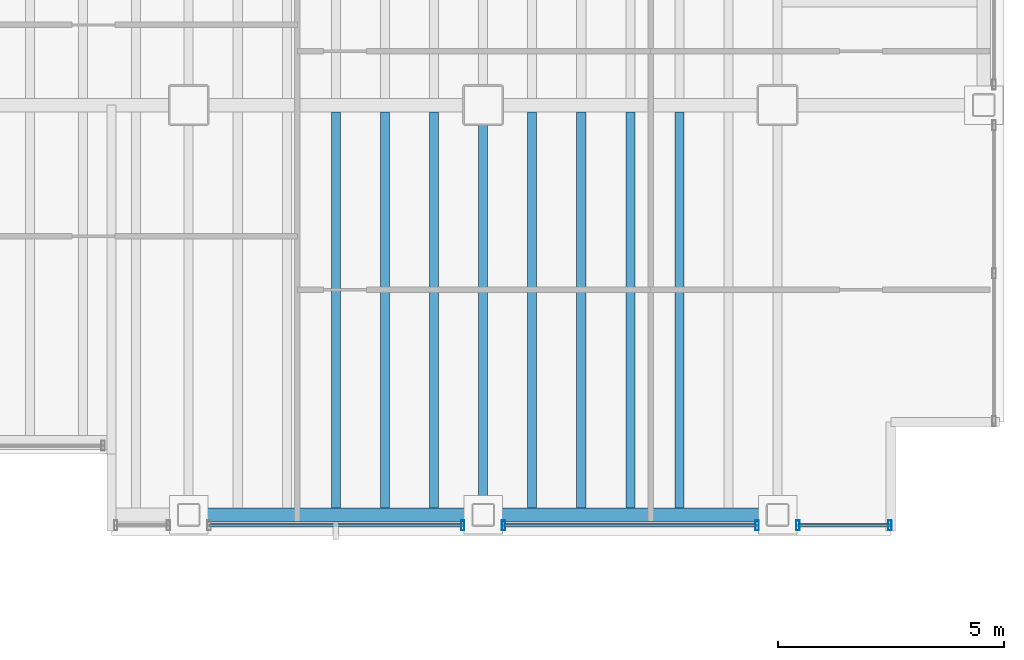
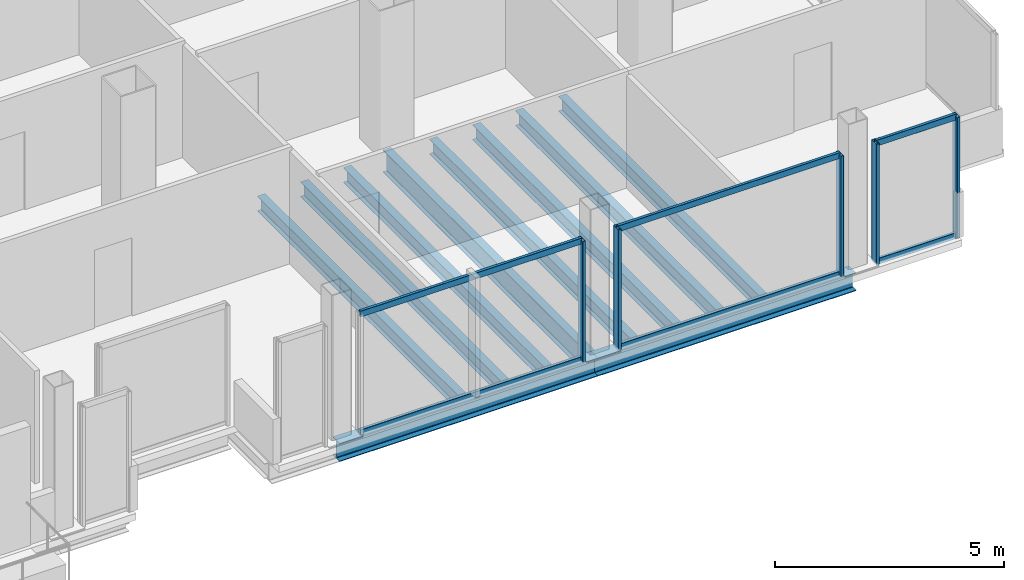
# One storey, part 13 of 22: 11 members, 10 beams, 3 elements without a shape of their own.
"""IFC4 building model written with IfcOpenShell, lengths in metres."""

from ifc_helpers import new_model, si_unit, direction, frame, origin, origin_2d, place, context, subcontext, project, spatial, hollow_rectangle, i_section, extrude, material, material_profile, profile_set, type_object, element, aggregate, save


model = new_model("IFC4")

# Units and contexts
model_context = context("Model", 3, precision=1e-05, world=origin(), true_north=direction((0.0, 1.0)))
body_context = subcontext(model_context, "Body", "Model", "MODEL_VIEW")
ifc_project = project(units=[si_unit("LENGTHUNIT", "METRE"), si_unit("AREAUNIT", "SQUARE_METRE"), si_unit("VOLUMEUNIT", "CUBIC_METRE"), si_unit("PLANEANGLEUNIT", "RADIAN"), si_unit("MASSUNIT", "GRAM", prefix="KILO")], contexts=[model_context])

# Site, building, storey
site_placement = place(None, origin())
site = spatial("IfcSite", under=ifc_project, at=site_placement, CompositionType="ELEMENT")
building_placement = place(site_placement, origin())
building = spatial("IfcBuilding", under=site, at=building_placement, Name="Noeulbin Bourse Tower", CompositionType="ELEMENT")
storey_placement = place(building_placement, frame((0.0, 0.0, 134.39990234375)))
storey = spatial("IfcBuildingStorey", under=building, at=storey_placement, Name="L33", CompositionType="ELEMENT", Elevation=134.39990234375)

# Beams
ifc_material_1 = material(Name="Steel S355", Category="steel")
ifc_material_profile_1 = material_profile(ifc_material_1, i_section(OverallWidth=0.199951171875, OverallDepth=0.60009765625, WebThickness=0.010986328125, FlangeThickness=0.01708984375, FilletRadius=0.02197265625, at=origin_2d()), Name="H-600x200x11x17", Category="LoadBearing")
ifc_profile_set_1 = profile_set([ifc_material_profile_1], Name="Steel S355")
beam_type_1 = type_object("IfcBeamType", Name="BM-GRD-600", PredefinedType="USERDEFINED", material=ifc_profile_set_1)
beam_placement = place(storey_placement, frame((37.5, 10.949951171875, -0.47998046875), z_axis=(0.0, 1.0, 0.0), x_axis=(-1.0, 0.0, 0.0)))
element("IfcBeam", 1, at=beam_placement, inside=storey, type_object=beam_type_1, Name="Tower Primary Girder NS L33-4.1", ObjectType="GIRDER", PredefinedType="USERDEFINED", context=body_context, shape_type="SweptSolid", body=[
    extrude(i_section(OverallWidth=0.199951171875, OverallDepth=0.60009765625, WebThickness=0.010986328125, FlangeThickness=0.01708984375, FilletRadius=0.02197265625, at=origin_2d()), origin(), (0.0, 0.0, 1.0), 9.050048828125),
])
ifc_material_profile_2 = material_profile(ifc_material_1, i_section(OverallWidth=0.199951171875, OverallDepth=0.39990234375, WebThickness=0.008056640625, FlangeThickness=0.012939453125, FilletRadius=0.01611328125, at=origin_2d()), Name="H-400x200x8x13", Category="LoadBearing")
ifc_profile_set_2 = profile_set([ifc_material_profile_2], Name="Steel S355")
beam_type_2 = type_object("IfcBeamType", Name="BM-SEC-400", PredefinedType="BEAM", material=ifc_profile_set_2)
for number, where, z_axis, x_axis, name in (
    (2, (34.25, 11.10009765625, -0.3798828125), (0.0, 1.0, 0.0), (-1.0, 0.0, 0.0), "Tower Composite Joist L33-31"),
    (3, (35.333251953125, 11.10009765625, -0.3798828125), (0.0, 1.0, 0.0), (-1.0, 0.0, 0.0), "Tower Composite Joist L33-33"),
    (4, (36.416748046875, 11.10009765625, -0.3798828125), (0.0, 1.0, 0.0), (-1.0, 0.0, 0.0), "Tower Composite Joist L33-35"),
    (5, (38.583251953125, 11.10009765625, -0.3798828125), (0.0, 1.0, 0.0), (-1.0, 0.0, 0.0), "Tower Composite Joist L33-37"),
    (6, (39.666748046875, 11.10009765625, -0.3798828125), (0.0, 1.0, 0.0), (-1.0, 0.0, 0.0), "Tower Composite Joist L33-39"),
    (7, (40.75, 11.10009765625, -0.3798828125), (0.0, 1.0, 0.0), (-1.0, 0.0, 0.0), "Tower Composite Joist L33-41"),
    (8, (41.833251953125, 11.10009765625, -0.3798828125), (0.0, 1.0, 0.0), (-1.0, 0.0, 0.0), "Tower Composite Joist L33-43"),
):
    element("IfcBeam", number, at=place(storey_placement, frame(where, z_axis=z_axis, x_axis=x_axis)), inside=storey, type_object=beam_type_2, Name=name, PredefinedType="BEAM", context=body_context, shape_type="SweptSolid", body=[
        extrude(i_section(OverallWidth=0.199951171875, OverallDepth=0.39990234375, WebThickness=0.008056640625, FlangeThickness=0.012939453125, FilletRadius=0.01611328125, at=origin_2d()), origin(), (0.0, 0.0, 1.0), 8.75),
    ])
ifc_material_profile_3 = material_profile(ifc_material_1, i_section(OverallWidth=0.300048828125, OverallDepth=0.488037109375, WebThickness=0.010986328125, FlangeThickness=0.01806640625, FilletRadius=0.02197265625, at=origin_2d()), Name="H-488x300x11x18", Category="LoadBearing")
ifc_profile_set_3 = profile_set([ifc_material_profile_3], Name="Steel S355")
beam_type_3 = type_object("IfcBeamType", Name="BM-SPN-488", PredefinedType="SPANDREL", material=ifc_profile_set_3)
for number, where, z_axis, x_axis, name in (
    (9, (31.0, 10.949951171875, -0.423828125), (1.0, 0.0, 0.0), (0.0, 1.0, 0.0), "South Spandrel L33-3"),
    (10, (37.5, 10.949951171875, -0.423828125), (1.0, 0.0, 0.0), (0.0, 1.0, 0.0), "South Spandrel L33-4"),
):
    element("IfcBeam", number, at=place(storey_placement, frame(where, z_axis=z_axis, x_axis=x_axis)), inside=storey, type_object=beam_type_3, Name=name, PredefinedType="SPANDREL", context=body_context, shape_type="SweptSolid", body=[
        extrude(i_section(OverallWidth=0.300048828125, OverallDepth=0.488037109375, WebThickness=0.010986328125, FlangeThickness=0.01806640625, FilletRadius=0.02197265625, at=origin_2d()), origin(), (0.0, 0.0, 1.0), 6.5),
    ])

# Curtain wall, member
ifc_material_2 = material(Name="Dark Tinted Triple Glazing", Category="glass")
curtain_wall_type = type_object("IfcCurtainWallType", Name="CW-SYS-3", PredefinedType="NOTDEFINED", material=ifc_material_2)
curtain_wall_1_placement = place(storey_placement, origin())
curtain_wall_1 = element("IfcCurtainWall", 11, at=curtain_wall_1_placement, inside=storey, type_object=curtain_wall_type, Name="Unitised Curtain Wall CW-L33-S3-S2", PredefinedType="NOTDEFINED")
ifc_material_3 = material(Name="Anodised Aluminium 6063-T6", Category="aluminium")
ifc_material_profile_4 = material_profile(ifc_material_3, hollow_rectangle(XDim=0.074951171875, YDim=0.219970703125, WallThickness=0.0048828125, InnerFilletRadius=0.00244140625, OuterFilletRadius=0.0048828125, at=origin_2d()), Name="ALU-MULL-75x220x5", Category="LoadBearing")
ifc_profile_set_4 = profile_set([ifc_material_profile_4], Name="Anodised Aluminium 6063-T6")
member_type_1 = type_object("IfcMemberType", Name="CW-SYS-3-MUL", PredefinedType="MULLION", material=ifc_profile_set_4)
member_1_placement = place(storey_placement, frame((37.050048828125, 10.719970703125, -0.02001953125), z_axis=(0.0, 0.0, 1.0), x_axis=(1.0, 0.0, 0.0)))
member_1 = element("IfcMember", 12, at=member_1_placement, type_object=member_type_1, Name="Curtain Wall Mullion CW-L33-S3-S2-M01", PredefinedType="MULLION", context=body_context, shape_type="SweptSolid", body=[
    extrude(hollow_rectangle(XDim=0.074951171875, YDim=0.219970703125, WallThickness=0.0048828125, InnerFilletRadius=0.00244140625, OuterFilletRadius=0.0048828125, at=origin_2d()), origin(), (0.0, 0.0, 1.0), 3.22021484375),
])

# Curtain wall, members
curtain_wall_2_placement = place(storey_placement, origin())
curtain_wall_2 = element("IfcCurtainWall", 13, at=curtain_wall_2_placement, inside=storey, type_object=curtain_wall_type, Name="Unitised Curtain Wall CW-L33-S3-S3", PredefinedType="NOTDEFINED")
member_2_placement = place(storey_placement, frame((37.949951171875, 10.719970703125, -0.02001953125), z_axis=(0.0, 0.0, 1.0), x_axis=(1.0, 0.0, 0.0)))
member_2 = element("IfcMember", 14, at=member_2_placement, type_object=member_type_1, Name="Curtain Wall Mullion CW-L33-S3-S3-M00", PredefinedType="MULLION", context=body_context, shape_type="SweptSolid", body=[
    extrude(hollow_rectangle(XDim=0.074951171875, YDim=0.219970703125, WallThickness=0.0048828125, InnerFilletRadius=0.00244140625, OuterFilletRadius=0.0048828125, at=origin_2d()), origin(), (0.0, 0.0, 1.0), 3.22021484375),
])
member_3_placement = place(storey_placement, frame((43.550048828125, 10.719970703125, -0.02001953125), z_axis=(0.0, 0.0, 1.0), x_axis=(1.0, 0.0, 0.0)))
member_3 = element("IfcMember", 15, at=member_3_placement, type_object=member_type_1, Name="Curtain Wall Mullion CW-L33-S3-S3-M01", PredefinedType="MULLION", context=body_context, shape_type="SweptSolid", body=[
    extrude(hollow_rectangle(XDim=0.074951171875, YDim=0.219970703125, WallThickness=0.0048828125, InnerFilletRadius=0.00244140625, OuterFilletRadius=0.0048828125, at=origin_2d()), origin(), (0.0, 0.0, 1.0), 3.22021484375),
])

curtain_wall_3_placement = place(storey_placement, origin())
curtain_wall_3 = element("IfcCurtainWall", 16, at=curtain_wall_3_placement, inside=storey, type_object=curtain_wall_type, Name="Unitised Curtain Wall CW-L33-S3-S4", PredefinedType="NOTDEFINED")
member_4_placement = place(storey_placement, frame((44.449951171875, 10.719970703125, -0.02001953125), z_axis=(0.0, 0.0, 1.0), x_axis=(1.0, 0.0, 0.0)))
member_4 = element("IfcMember", 17, at=member_4_placement, type_object=member_type_1, Name="Curtain Wall Mullion CW-L33-S3-S4-M00", PredefinedType="MULLION", context=body_context, shape_type="SweptSolid", body=[
    extrude(hollow_rectangle(XDim=0.074951171875, YDim=0.219970703125, WallThickness=0.0048828125, InnerFilletRadius=0.00244140625, OuterFilletRadius=0.0048828125, at=origin_2d()), origin(), (0.0, 0.0, 1.0), 3.22021484375),
])
member_5_placement = place(storey_placement, frame((46.47998046875, 10.719970703125, -0.02001953125), z_axis=(0.0, 0.0, 1.0), x_axis=(1.0, 0.0, 0.0)))
member_5 = element("IfcMember", 18, at=member_5_placement, type_object=member_type_1, Name="Curtain Wall Mullion CW-L33-S3-S4-M01", PredefinedType="MULLION", context=body_context, shape_type="SweptSolid", body=[
    extrude(hollow_rectangle(XDim=0.074951171875, YDim=0.219970703125, WallThickness=0.0048828125, InnerFilletRadius=0.00244140625, OuterFilletRadius=0.0048828125, at=origin_2d()), origin(), (0.0, 0.0, 1.0), 3.22021484375),
])

# Member
ifc_material_profile_5 = material_profile(ifc_material_3, hollow_rectangle(XDim=0.074951171875, YDim=0.159912109375, WallThickness=0.0048828125, InnerFilletRadius=0.00244140625, OuterFilletRadius=0.0048828125, at=origin_2d()), Name="ALU-TRAN-75x160x5", Category="LoadBearing")
ifc_profile_set_5 = profile_set([ifc_material_profile_5], Name="Anodised Aluminium 6063-T6")
member_type_2 = type_object("IfcMemberType", Name="CW-SYS-3-TRN", PredefinedType="USERDEFINED", material=ifc_profile_set_5)
member_6_placement = place(storey_placement, frame((31.4599609375, 10.719970703125, 0.010009765625), z_axis=(1.0, 0.0, 0.0), x_axis=(0.0, 1.0, 0.0)))
member_6 = element("IfcMember", 19, at=member_6_placement, type_object=member_type_2, Name="Curtain Wall Transom CW-L33-S3-S2-T00", ObjectType="TRANSOM", PredefinedType="USERDEFINED", context=body_context, shape_type="SweptSolid", body=[
    extrude(hollow_rectangle(XDim=0.074951171875, YDim=0.159912109375, WallThickness=0.0048828125, InnerFilletRadius=0.00244140625, OuterFilletRadius=0.0048828125, at=origin_2d()), origin(), (0.0, 0.0, 1.0), 5.580078125),
])

member_7_placement = place(storey_placement, frame((31.4599609375, 10.719970703125, 3.170166015625), z_axis=(1.0, 0.0, 0.0), x_axis=(0.0, 1.0, 0.0)))
member_7 = element("IfcMember", 20, at=member_7_placement, type_object=member_type_2, Name="Curtain Wall Transom CW-L33-S3-S2-T01", ObjectType="TRANSOM", PredefinedType="USERDEFINED", context=body_context, shape_type="SweptSolid", body=[
    extrude(hollow_rectangle(XDim=0.074951171875, YDim=0.159912109375, WallThickness=0.0048828125, InnerFilletRadius=0.00244140625, OuterFilletRadius=0.0048828125, at=origin_2d()), origin(), (0.0, 0.0, 1.0), 5.580078125),
])

aggregate(curtain_wall_1, [member_1, member_6, member_7])

member_8_placement = place(storey_placement, frame((37.9599609375, 10.719970703125, 0.010009765625), z_axis=(1.0, 0.0, 0.0), x_axis=(0.0, 1.0, 0.0)))
member_8 = element("IfcMember", 21, at=member_8_placement, type_object=member_type_2, Name="Curtain Wall Transom CW-L33-S3-S3-T00", ObjectType="TRANSOM", PredefinedType="USERDEFINED", context=body_context, shape_type="SweptSolid", body=[
    extrude(hollow_rectangle(XDim=0.074951171875, YDim=0.159912109375, WallThickness=0.0048828125, InnerFilletRadius=0.00244140625, OuterFilletRadius=0.0048828125, at=origin_2d()), origin(), (0.0, 0.0, 1.0), 5.580078125),
])

member_9_placement = place(storey_placement, frame((37.9599609375, 10.719970703125, 3.170166015625), z_axis=(1.0, 0.0, 0.0), x_axis=(0.0, 1.0, 0.0)))
member_9 = element("IfcMember", 22, at=member_9_placement, type_object=member_type_2, Name="Curtain Wall Transom CW-L33-S3-S3-T01", ObjectType="TRANSOM", PredefinedType="USERDEFINED", context=body_context, shape_type="SweptSolid", body=[
    extrude(hollow_rectangle(XDim=0.074951171875, YDim=0.159912109375, WallThickness=0.0048828125, InnerFilletRadius=0.00244140625, OuterFilletRadius=0.0048828125, at=origin_2d()), origin(), (0.0, 0.0, 1.0), 5.580078125),
])

aggregate(curtain_wall_2, [member_2, member_3, member_8, member_9])

member_10_placement = place(storey_placement, frame((44.4599609375, 10.719970703125, 0.010009765625), z_axis=(1.0, 0.0, 0.0), x_axis=(0.0, 1.0, 0.0)))
member_10 = element("IfcMember", 23, at=member_10_placement, type_object=member_type_2, Name="Curtain Wall Transom CW-L33-S3-S4-T00", ObjectType="TRANSOM", PredefinedType="USERDEFINED", context=body_context, shape_type="SweptSolid", body=[
    extrude(hollow_rectangle(XDim=0.074951171875, YDim=0.159912109375, WallThickness=0.0048828125, InnerFilletRadius=0.00244140625, OuterFilletRadius=0.0048828125, at=origin_2d()), origin(), (0.0, 0.0, 1.0), 2.010009765625),
])

member_11_placement = place(storey_placement, frame((44.4599609375, 10.719970703125, 3.170166015625), z_axis=(1.0, 0.0, 0.0), x_axis=(0.0, 1.0, 0.0)))
member_11 = element("IfcMember", 24, at=member_11_placement, type_object=member_type_2, Name="Curtain Wall Transom CW-L33-S3-S4-T01", ObjectType="TRANSOM", PredefinedType="USERDEFINED", context=body_context, shape_type="SweptSolid", body=[
    extrude(hollow_rectangle(XDim=0.074951171875, YDim=0.159912109375, WallThickness=0.0048828125, InnerFilletRadius=0.00244140625, OuterFilletRadius=0.0048828125, at=origin_2d()), origin(), (0.0, 0.0, 1.0), 2.010009765625),
])

aggregate(curtain_wall_3, [member_4, member_5, member_10, member_11])

save(model, "model.ifc")
